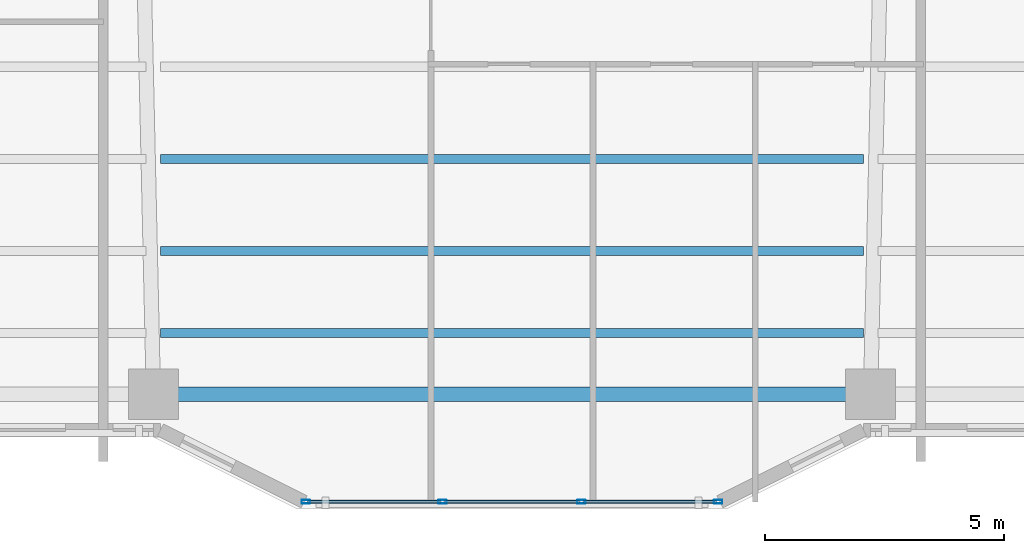
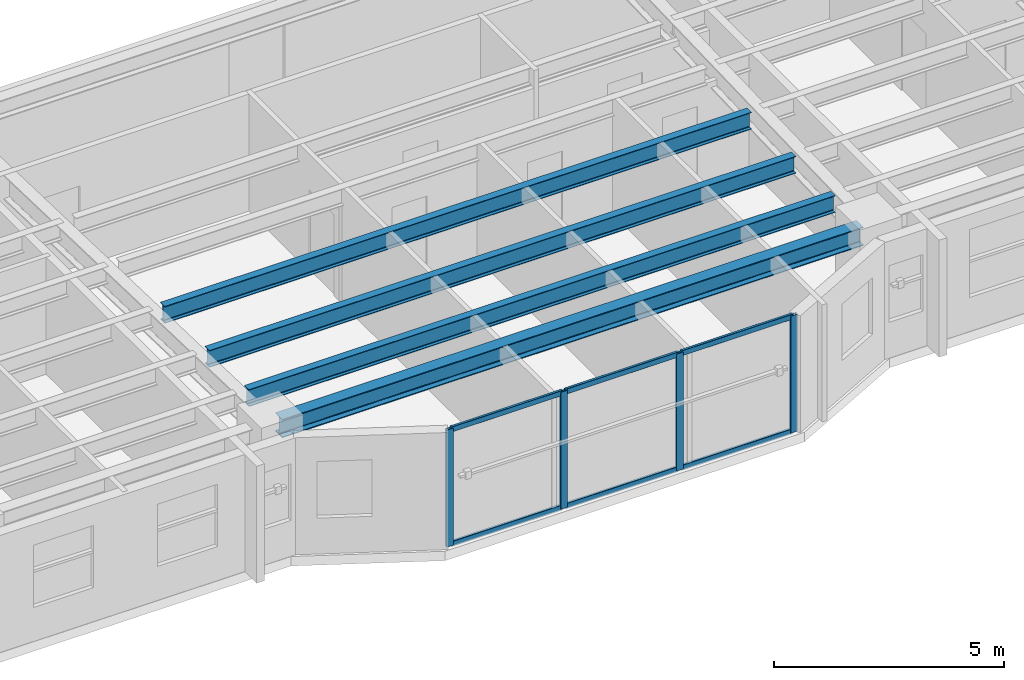
# One storey, part 2 of 19: 10 members, 4 beams, 1 element without a shape of its own.
"""IFC4 building model written with IfcOpenShell, lengths in metres."""

from ifc_helpers import new_model, si_unit, direction, frame, origin, origin_2d, place, context, subcontext, project, spatial, hollow_rectangle, i_section, extrude, material, layer, layer_set, material_profile, profile_set, type_object, element, aggregate, save


model = new_model("IFC4")

# Units and contexts
model_context = context("Model", 3, precision=1e-05, world=origin(), true_north=direction((0.0, 1.0)))
body_context = subcontext(model_context, "Body", "Model", "MODEL_VIEW")
ifc_project = project(units=[si_unit("LENGTHUNIT", "METRE"), si_unit("AREAUNIT", "SQUARE_METRE"), si_unit("VOLUMEUNIT", "CUBIC_METRE"), si_unit("PLANEANGLEUNIT", "RADIAN"), si_unit("MASSUNIT", "GRAM", prefix="KILO")], contexts=[model_context])

# Site, building, storey
site_placement = place(None, origin())
site = spatial("IfcSite", under=ifc_project, at=site_placement, CompositionType="ELEMENT")
building_placement = place(site_placement, origin())
building = spatial("IfcBuilding", under=site, at=building_placement, Name="Tarnavaz Court Tower", CompositionType="ELEMENT")
storey_placement = place(building_placement, frame((0.0, 0.0, 111.800048828125)))
storey = spatial("IfcBuildingStorey", under=building, at=storey_placement, Name="L30", CompositionType="ELEMENT", Elevation=111.800048828125)

# Beams
ifc_material_1 = material(Name="Steel S355", Category="steel")
ifc_material_profile_1 = material_profile(ifc_material_1, i_section(OverallWidth=0.18994140625, OverallDepth=0.449951171875, WebThickness=0.009521484375, FlangeThickness=0.0146484375, FilletRadius=0.02099609375, at=origin_2d()), Name="IPE 450")
ifc_profile_set_1 = profile_set([ifc_material_profile_1], Name="Steel S355")
beam_type_1 = type_object("IfcBeamType", Name="BM-J-IPE450", PredefinedType="JOIST", material=ifc_profile_set_1)
for number, where, z_axis, x_axis, name in (
    (1, (-7.35009765625, -16.3779296875, 2.875), (1.0, 0.0, 0.0), (0.0, 1.0, 0.0), "L30 Beam JS3-2"),
    (2, (-7.35009765625, -18.303955078125, 2.875), (1.0, 0.0, 0.0), (0.0, 1.0, 0.0), "L30 Beam JS4-2"),
    (3, (-7.35009765625, -20.01611328125, 2.875), (1.0, 0.0, 0.0), (0.0, 1.0, 0.0), "L30 Beam JS5-2"),
):
    element("IfcBeam", number, at=place(storey_placement, frame(where, z_axis=z_axis, x_axis=x_axis)), inside=storey, type_object=beam_type_1, Name=name, PredefinedType="JOIST", context=body_context, shape_type="SweptSolid", body=[
        extrude(i_section(OverallWidth=0.18994140625, OverallDepth=0.449951171875, WebThickness=0.009521484375, FlangeThickness=0.0146484375, FilletRadius=0.02099609375, at=origin_2d()), origin(), (0.0, 0.0, 1.0), 14.7001953125),
    ])
ifc_material_profile_2 = material_profile(ifc_material_1, i_section(OverallWidth=0.300048828125, OverallDepth=0.489990234375, WebThickness=0.011962890625, FlangeThickness=0.02294921875, FilletRadius=0.027099609375, at=origin_2d()), Name="HEA 500")
ifc_profile_set_2 = profile_set([ifc_material_profile_2], Name="Steel S355")
beam_type_2 = type_object("IfcBeamType", Name="BM-SP-HEA500", PredefinedType="SPANDREL", material=ifc_profile_set_2)
beam_placement = place(storey_placement, frame((-7.280029296875, -21.300048828125, 2.85498046875), z_axis=(1.0, 0.0, 0.0), x_axis=(0.0, 1.0, 0.0)))
element("IfcBeam", 4, at=beam_placement, inside=storey, type_object=beam_type_2, Name="L30 Beam PR-PS-2-PS-3", PredefinedType="SPANDREL", context=body_context, shape_type="SweptSolid", body=[
    extrude(i_section(OverallWidth=0.300048828125, OverallDepth=0.489990234375, WebThickness=0.011962890625, FlangeThickness=0.02294921875, FilletRadius=0.027099609375, at=origin_2d()), origin(), (0.0, 0.0, 1.0), 14.56005859375),
])

# Curtain wall, members
ifc_material_2 = material(Name="Anodised Aluminium 6063-T6 and Solar Low-E Glazing", Category="aluminium")
ifc_layer = layer(ifc_material_2, 0.179931640625)
ifc_layer_set = layer_set([ifc_layer], Name="Anodised Aluminium 6063-T6 and Solar Low-E Glazing")
curtain_wall_type = type_object("IfcCurtainWallType", Name="CW-SYS-02", PredefinedType="NOTDEFINED", material=ifc_layer_set)
curtain_wall_placement = place(storey_placement, origin())
curtain_wall = element("IfcCurtainWall", 5, at=curtain_wall_placement, inside=storey, type_object=curtain_wall_type, Name="L30 Iwan Prow Curtain Wall 17", PredefinedType="NOTDEFINED")
ifc_material_3 = material(Name="Anodised Aluminium 6063-T6", Category="aluminium")
ifc_material_profile_3 = material_profile(ifc_material_3, hollow_rectangle(XDim=0.074951171875, YDim=0.179931640625, WallThickness=0.0048828125, InnerFilletRadius=0.0048828125, OuterFilletRadius=0.010009765625, at=origin_2d()), Name="ALU RHS 180X75X5")
ifc_profile_set_3 = profile_set([ifc_material_profile_3], Name="Anodised Aluminium 6063-T6")
member_type_1 = type_object("IfcMemberType", Name="CW-MUL-180", PredefinedType="MULLION", material=ifc_profile_set_3)
member_1_placement = place(storey_placement, frame((4.3125, -23.550048828125, 0.0), z_axis=(0.0, 0.0, 1.0), x_axis=(0.0, -1.0, 0.0)))
member_1 = element("IfcMember", 6, at=member_1_placement, type_object=member_type_1, Name="CW mullion 1", PredefinedType="MULLION", context=body_context, shape_type="SweptSolid", body=[
    extrude(hollow_rectangle(XDim=0.074951171875, YDim=0.179931640625, WallThickness=0.0048828125, InnerFilletRadius=0.0048828125, OuterFilletRadius=0.010009765625, at=origin_2d()), origin(), (0.0, 0.0, 1.0), 3.099853515625),
])
member_2_placement = place(storey_placement, frame((1.449951171875, -23.550048828125, 0.0), z_axis=(0.0, 0.0, 1.0), x_axis=(0.0, -1.0, 0.0)))
member_2 = element("IfcMember", 7, at=member_2_placement, type_object=member_type_1, Name="CW mullion 2", PredefinedType="MULLION", context=body_context, shape_type="SweptSolid", body=[
    extrude(hollow_rectangle(XDim=0.074951171875, YDim=0.179931640625, WallThickness=0.0048828125, InnerFilletRadius=0.0048828125, OuterFilletRadius=0.010009765625, at=origin_2d()), origin(), (0.0, 0.0, 1.0), 3.099853515625),
])
member_3_placement = place(storey_placement, frame((-1.449951171875, -23.550048828125, 0.0), z_axis=(0.0, 0.0, 1.0), x_axis=(0.0, -1.0, 0.0)))
member_3 = element("IfcMember", 8, at=member_3_placement, type_object=member_type_1, Name="CW mullion 3", PredefinedType="MULLION", context=body_context, shape_type="SweptSolid", body=[
    extrude(hollow_rectangle(XDim=0.074951171875, YDim=0.179931640625, WallThickness=0.0048828125, InnerFilletRadius=0.0048828125, OuterFilletRadius=0.010009765625, at=origin_2d()), origin(), (0.0, 0.0, 1.0), 3.099853515625),
])
member_4_placement = place(storey_placement, frame((-4.3125, -23.550048828125, 0.0), z_axis=(0.0, 0.0, 1.0), x_axis=(0.0, -1.0, 0.0)))
member_4 = element("IfcMember", 9, at=member_4_placement, type_object=member_type_1, Name="CW mullion 4", PredefinedType="MULLION", context=body_context, shape_type="SweptSolid", body=[
    extrude(hollow_rectangle(XDim=0.074951171875, YDim=0.179931640625, WallThickness=0.0048828125, InnerFilletRadius=0.0048828125, OuterFilletRadius=0.010009765625, at=origin_2d()), origin(), (0.0, 0.0, 1.0), 3.099853515625),
])
ifc_material_profile_4 = material_profile(ifc_material_3, hollow_rectangle(XDim=0.06494140625, YDim=0.139892578125, WallThickness=0.00390625, InnerFilletRadius=0.00390625, OuterFilletRadius=0.008056640625, at=origin_2d()), Name="ALU RHS 140X65X4")
ifc_profile_set_4 = profile_set([ifc_material_profile_4], Name="Anodised Aluminium 6063-T6")
member_type_2 = type_object("IfcMemberType", Name="CW-TRN-140", PredefinedType="USERDEFINED", material=ifc_profile_set_4)
member_5_placement = place(storey_placement, frame((4.27490234375, -23.550048828125, 0.032470703125), z_axis=(-1.0, 0.0, 0.0), x_axis=(0.0, -1.0, 0.0)))
member_5 = element("IfcMember", 10, at=member_5_placement, type_object=member_type_2, Name="CW transom 1.1", ObjectType="TRANSOM", PredefinedType="USERDEFINED", context=body_context, shape_type="SweptSolid", body=[
    extrude(hollow_rectangle(XDim=0.06494140625, YDim=0.139892578125, WallThickness=0.00390625, InnerFilletRadius=0.00390625, OuterFilletRadius=0.008056640625, at=origin_2d()), origin(), (0.0, 0.0, 1.0), 2.787353515625),
])
member_6_placement = place(storey_placement, frame((4.27490234375, -23.550048828125, 3.0673828125), z_axis=(-1.0, 0.0, 0.0), x_axis=(0.0, -1.0, 0.0)))
member_6 = element("IfcMember", 11, at=member_6_placement, type_object=member_type_2, Name="CW transom 1.2", ObjectType="TRANSOM", PredefinedType="USERDEFINED", context=body_context, shape_type="SweptSolid", body=[
    extrude(hollow_rectangle(XDim=0.06494140625, YDim=0.139892578125, WallThickness=0.00390625, InnerFilletRadius=0.00390625, OuterFilletRadius=0.008056640625, at=origin_2d()), origin(), (0.0, 0.0, 1.0), 2.787353515625),
])
member_7_placement = place(storey_placement, frame((1.41259765625, -23.550048828125, 0.032470703125), z_axis=(-1.0, 0.0, 0.0), x_axis=(0.0, -1.0, 0.0)))
member_7 = element("IfcMember", 12, at=member_7_placement, type_object=member_type_2, Name="CW transom 2.1", ObjectType="TRANSOM", PredefinedType="USERDEFINED", context=body_context, shape_type="SweptSolid", body=[
    extrude(hollow_rectangle(XDim=0.06494140625, YDim=0.139892578125, WallThickness=0.00390625, InnerFilletRadius=0.00390625, OuterFilletRadius=0.008056640625, at=origin_2d()), origin(), (0.0, 0.0, 1.0), 2.8251953125),
])
member_8_placement = place(storey_placement, frame((1.41259765625, -23.550048828125, 3.0673828125), z_axis=(-1.0, 0.0, 0.0), x_axis=(0.0, -1.0, 0.0)))
member_8 = element("IfcMember", 13, at=member_8_placement, type_object=member_type_2, Name="CW transom 2.2", ObjectType="TRANSOM", PredefinedType="USERDEFINED", context=body_context, shape_type="SweptSolid", body=[
    extrude(hollow_rectangle(XDim=0.06494140625, YDim=0.139892578125, WallThickness=0.00390625, InnerFilletRadius=0.00390625, OuterFilletRadius=0.008056640625, at=origin_2d()), origin(), (0.0, 0.0, 1.0), 2.8251953125),
])
member_9_placement = place(storey_placement, frame((-1.487548828125, -23.550048828125, 0.032470703125), z_axis=(-1.0, 0.0, 0.0), x_axis=(0.0, -1.0, 0.0)))
member_9 = element("IfcMember", 14, at=member_9_placement, type_object=member_type_2, Name="CW transom 3.1", ObjectType="TRANSOM", PredefinedType="USERDEFINED", context=body_context, shape_type="SweptSolid", body=[
    extrude(hollow_rectangle(XDim=0.06494140625, YDim=0.139892578125, WallThickness=0.00390625, InnerFilletRadius=0.00390625, OuterFilletRadius=0.008056640625, at=origin_2d()), origin(), (0.0, 0.0, 1.0), 2.787353515625),
])
member_10_placement = place(storey_placement, frame((-1.487548828125, -23.550048828125, 3.0673828125), z_axis=(-1.0, 0.0, 0.0), x_axis=(0.0, -1.0, 0.0)))
member_10 = element("IfcMember", 15, at=member_10_placement, type_object=member_type_2, Name="CW transom 3.2", ObjectType="TRANSOM", PredefinedType="USERDEFINED", context=body_context, shape_type="SweptSolid", body=[
    extrude(hollow_rectangle(XDim=0.06494140625, YDim=0.139892578125, WallThickness=0.00390625, InnerFilletRadius=0.00390625, OuterFilletRadius=0.008056640625, at=origin_2d()), origin(), (0.0, 0.0, 1.0), 2.787353515625),
])
aggregate(curtain_wall, [member_1, member_2, member_3, member_4, member_5, member_6, member_7, member_8, member_9, member_10])

save(model, "model.ifc")
